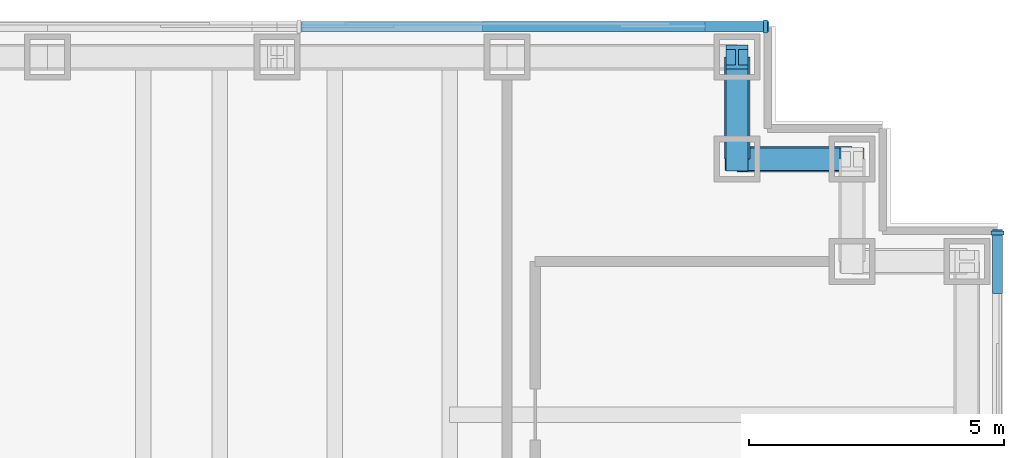
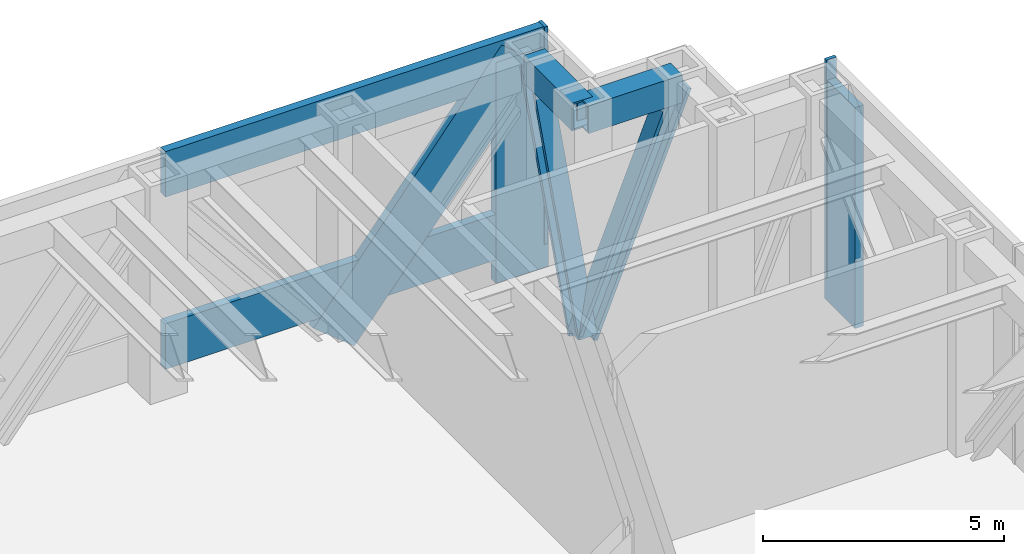
# One storey, part 9 of 16: 9 members, 2 beams, 2 elements without a shape of their own.
"""IFC4 building model written with IfcOpenShell, lengths in metres."""

from ifc_helpers import new_model, si_unit, direction, frame, origin, origin_2d, place, context, subcontext, project, spatial, rectangle, hollow_rectangle, i_section, extrude, material, material_profile, profile_set, type_object, element, aggregate, save


model = new_model("IFC4")

# Units and contexts
model_context = context("Model", 3, precision=1e-05, world=origin(), true_north=direction((0.0, 1.0)))
body_context = subcontext(model_context, "Body", "Model", "MODEL_VIEW")
ifc_project = project(units=[si_unit("LENGTHUNIT", "METRE"), si_unit("AREAUNIT", "SQUARE_METRE"), si_unit("VOLUMEUNIT", "CUBIC_METRE"), si_unit("PLANEANGLEUNIT", "RADIAN"), si_unit("MASSUNIT", "GRAM", prefix="KILO")], contexts=[model_context])

# Site, building, storey
site_placement = place(None, origin())
site = spatial("IfcSite", under=ifc_project, at=site_placement, CompositionType="ELEMENT")
building_placement = place(site_placement, origin())
building = spatial("IfcBuilding", under=site, at=building_placement, Name="Rheinbord Bourse Tower", CompositionType="ELEMENT")
storey_placement = place(building_placement, frame((0.0, 0.0, 95.0)))
storey = spatial("IfcBuildingStorey", under=building, at=storey_placement, Name="L20", CompositionType="ELEMENT", Elevation=95.0)

# Beams
ifc_material_1 = material(Name="Steel S460M", Category="steel")
ifc_material_profile_1 = material_profile(ifc_material_1, hollow_rectangle(XDim=0.5, YDim=0.699951171875, WallThickness=0.0400390625, at=origin_2d()), Name="BOX 700x500x40")
ifc_profile_set_1 = profile_set([ifc_material_profile_1], Name="Steel S460M")
beam_type = type_object("IfcBeamType", Name="BELT CHORD BOX 700x500x40", PredefinedType="SPANDREL", material=ifc_profile_set_1)
beam_1_placement = place(storey_placement, frame((69.75, 44.0, 4.989990234375), z_axis=(-1.0, 0.0, 0.0), x_axis=(0.0, -1.0, 0.0)))
element("IfcBeam", 1, at=beam_1_placement, inside=storey, type_object=beam_type, Name="Spandrel NE-C-NE-D under L21", PredefinedType="SPANDREL", context=body_context, shape_type="SweptSolid", body=[
    extrude(hollow_rectangle(XDim=0.5, YDim=0.699951171875, WallThickness=0.0400390625, at=origin_2d()), origin(), (0.0, 0.0, 1.0), 2.25),
])
beam_2_placement = place(storey_placement, frame((67.5, 44.0, 4.989990234375), z_axis=(0.0, 1.0, 0.0), x_axis=(-1.0, 0.0, 0.0)))
element("IfcBeam", 2, at=beam_2_placement, inside=storey, type_object=beam_type, Name="Spandrel NE-D-NE-E under L21", PredefinedType="SPANDREL", context=body_context, shape_type="SweptSolid", body=[
    extrude(hollow_rectangle(XDim=0.5, YDim=0.699951171875, WallThickness=0.0400390625, at=origin_2d()), origin(), (0.0, 0.0, 1.0), 2.0),
])

# Members
ifc_material_2 = material(Name="Steel S460", Category="steel")
ifc_material_profile_2 = material_profile(ifc_material_2, i_section(OverallWidth=0.431884765625, OverallDepth=0.498046875, WebThickness=0.0556640625, FlangeThickness=0.0888671875, at=origin_2d()), Name="HD 400x744")
ifc_profile_set_2 = profile_set([ifc_material_profile_2], Name="Steel S460")
member_type_1 = type_object("IfcMemberType", Name="BELT DIAGONAL HD 400x744", PredefinedType="STRUT", material=ifc_profile_set_2)
member_1_placement = place(storey_placement, frame((67.5, 44.0, -0.60009765625), z_axis=(0.37338763268, 0.0, 0.92767541509), x_axis=(0.0, 1.0, 0.0)))
element("IfcMember", 3, at=member_1_placement, inside=storey, type_object=member_type_1, Name="Belt truss diagonal NE-C-NE-D L20", PredefinedType="STRUT", context=body_context, shape_type="SweptSolid", body=[
    extrude(i_section(OverallWidth=0.431884765625, OverallDepth=0.498046875, WebThickness=0.0556640625, FlangeThickness=0.0888671875, at=origin_2d()), origin(), (0.0, 0.0, 1.0), 6.02587890625),
])
member_2_placement = place(storey_placement, frame((67.5, 44.0, -0.60009765625), z_axis=(0.0, 0.336865151883, 0.941552903159), x_axis=(-1.0, 0.0, 0.0)))
element("IfcMember", 4, at=member_2_placement, inside=storey, type_object=member_type_1, Name="Belt truss diagonal NE-D-NE-E L20", PredefinedType="STRUT", context=body_context, shape_type="SweptSolid", body=[
    extrude(i_section(OverallWidth=0.431884765625, OverallDepth=0.498046875, WebThickness=0.0556640625, FlangeThickness=0.0888671875, at=origin_2d()), origin(), (0.0, 0.0, 1.0), 5.93701171875),
])

# Curtain wall, member
ifc_material_3 = material(Name="Dark glass and black aluminium", Category="aluminium")
curtain_wall_type = type_object("IfcCurtainWallType", Name="CW5 DARK GLASS CURTAIN WALL", PredefinedType="USERDEFINED", material=ifc_material_3)
curtain_wall_1_placement = place(storey_placement, origin())
curtain_wall_1 = element("IfcCurtainWall", 5, at=curtain_wall_1_placement, inside=storey, type_object=curtain_wall_type, Name="Curtain wall CW5 E L20", ObjectType="UNITISED CURTAIN WALL", PredefinedType="USERDEFINED")
ifc_material_4 = material(Name="Black anodised aluminium", Category="aluminium")
ifc_material_profile_3 = material_profile(ifc_material_4, rectangle(XDim=0.199951171875, YDim=1.259033203125, at=origin_2d()), Name="CW5 DIAGONAL MULLION 1259x200")
ifc_profile_set_3 = profile_set([ifc_material_profile_3], Name="Black anodised aluminium")
member_type_2 = type_object("IfcMemberType", Name="CW5 BLACK DIAGONAL MULLION", PredefinedType="USERDEFINED", material=ifc_profile_set_3)
member_3_placement = place(storey_placement, frame((72.60009765625, 42.0, -0.60009765625), z_axis=(0.0, 0.0, 1.0), x_axis=(-1.0, 0.0, 0.0)))
member_3 = element("IfcMember", 6, at=member_3_placement, type_object=member_type_2, Name="CW5 diagonal mullion belt NE-A", ObjectType="DIAGONAL MULLION", PredefinedType="USERDEFINED", context=body_context, shape_type="SweptSolid", body=[
    extrude(rectangle(XDim=0.199951171875, YDim=1.259033203125, at=origin_2d()), origin(), (0.0, 0.0, 1.0), 5.590087890625),
])

# Curtain wall, members
curtain_wall_2_placement = place(storey_placement, origin())
curtain_wall_2 = element("IfcCurtainWall", 7, at=curtain_wall_2_placement, inside=storey, type_object=curtain_wall_type, Name="Curtain wall CW5 N L20", ObjectType="UNITISED CURTAIN WALL", PredefinedType="USERDEFINED")
member_4_placement = place(storey_placement, frame((67.5, 46.60009765625, -0.60009765625), z_axis=(0.0, 0.0, 1.0), x_axis=(0.0, -1.0, 0.0)))
member_4 = element("IfcMember", 8, at=member_4_placement, type_object=member_type_2, Name="CW5 diagonal mullion belt NE-D", ObjectType="DIAGONAL MULLION", PredefinedType="USERDEFINED", context=body_context, shape_type="SweptSolid", body=[
    extrude(rectangle(XDim=0.199951171875, YDim=1.259033203125, at=origin_2d()), origin(), (0.0, 0.0, 1.0), 5.590087890625),
])
member_5_placement = place(storey_placement, frame((63.0, 46.60009765625, -0.60009765625), z_axis=(0.627065297878, 0.0, 0.778966695178), x_axis=(0.0, 1.0, 0.0)))
member_5 = element("IfcMember", 9, at=member_5_placement, type_object=member_type_2, Name="CW5 diagonal mullion belt NE-E", ObjectType="DIAGONAL MULLION", PredefinedType="USERDEFINED", context=body_context, shape_type="SweptSolid", body=[
    extrude(rectangle(XDim=0.199951171875, YDim=1.259033203125, at=origin_2d()), origin(), (0.0, 0.0, 1.0), 7.17626953125),
])

# Member
ifc_material_5 = material(Name="Black anodised aluminium", Category="aluminium")
ifc_material_profile_4 = material_profile(ifc_material_5, rectangle(XDim=0.25, YDim=0.080078125, at=origin_2d()), Name="CW5 MULLION 80x250")
ifc_profile_set_4 = profile_set([ifc_material_profile_4], Name="Black anodised aluminium")
member_type_3 = type_object("IfcMemberType", Name="CW5 BLACK MULLION", PredefinedType="MULLION", material=ifc_profile_set_4)
member_6_placement = place(storey_placement, frame((72.60009765625, 42.56005859375, 0.0), z_axis=(0.0, 0.0, 1.0), x_axis=(-1.0, 0.0, 0.0)))
member_6 = element("IfcMember", 10, at=member_6_placement, type_object=member_type_3, Name="CW5 mullion 6", PredefinedType="MULLION", context=body_context, shape_type="SweptSolid", body=[
    extrude(rectangle(XDim=0.25, YDim=0.080078125, at=origin_2d()), origin(), (0.0, 0.0, 1.0), 5.5),
])

aggregate(curtain_wall_1, [member_6, member_3])

member_7_placement = place(storey_placement, frame((68.06005859375, 46.60009765625, 0.0), z_axis=(0.0, 0.0, 1.0), x_axis=(0.0, -1.0, 0.0)))
member_7 = element("IfcMember", 11, at=member_7_placement, type_object=member_type_3, Name="CW5 mullion 1", PredefinedType="MULLION", context=body_context, shape_type="SweptSolid", body=[
    extrude(rectangle(XDim=0.25, YDim=0.080078125, at=origin_2d()), origin(), (0.0, 0.0, 1.0), 5.5),
])

ifc_material_6 = material(Name="Black anodised aluminium", Category="aluminium")
ifc_material_profile_5 = material_profile(ifc_material_6, rectangle(XDim=0.199951171875, YDim=1.14990234375, at=origin_2d()), Name="CW5 TRANSOM 1150x200")
ifc_profile_set_5 = profile_set([ifc_material_profile_5], Name="Black anodised aluminium")
member_type_4 = type_object("IfcMemberType", Name="CW5 BLACK TRANSOM", PredefinedType="USERDEFINED", material=ifc_profile_set_5)
member_8_placement = place(storey_placement, frame((68.02001953125, 46.60009765625, 0.574951171875), z_axis=(-1.0, 0.0, 0.0), x_axis=(0.0, -1.0, 0.0)))
member_8 = element("IfcMember", 12, at=member_8_placement, type_object=member_type_4, Name="CW5 transom 1.1", ObjectType="TRANSOM", PredefinedType="USERDEFINED", context=body_context, shape_type="SweptSolid", body=[
    extrude(rectangle(XDim=0.199951171875, YDim=1.14990234375, at=origin_2d()), origin(), (0.0, 0.0, 1.0), 9.051513671875),
])

member_9_placement = place(storey_placement, frame((68.02001953125, 46.60009765625, 4.925048828125), z_axis=(-1.0, 0.0, 0.0), x_axis=(0.0, -1.0, 0.0)))
member_9 = element("IfcMember", 13, at=member_9_placement, type_object=member_type_4, Name="CW5 transom 1.2", ObjectType="TRANSOM", PredefinedType="USERDEFINED", context=body_context, shape_type="SweptSolid", body=[
    extrude(rectangle(XDim=0.199951171875, YDim=1.14990234375, at=origin_2d()), origin(), (0.0, 0.0, 1.0), 9.051513671875),
])

aggregate(curtain_wall_2, [member_7, member_8, member_9, member_4, member_5])

save(model, "model.ifc")
